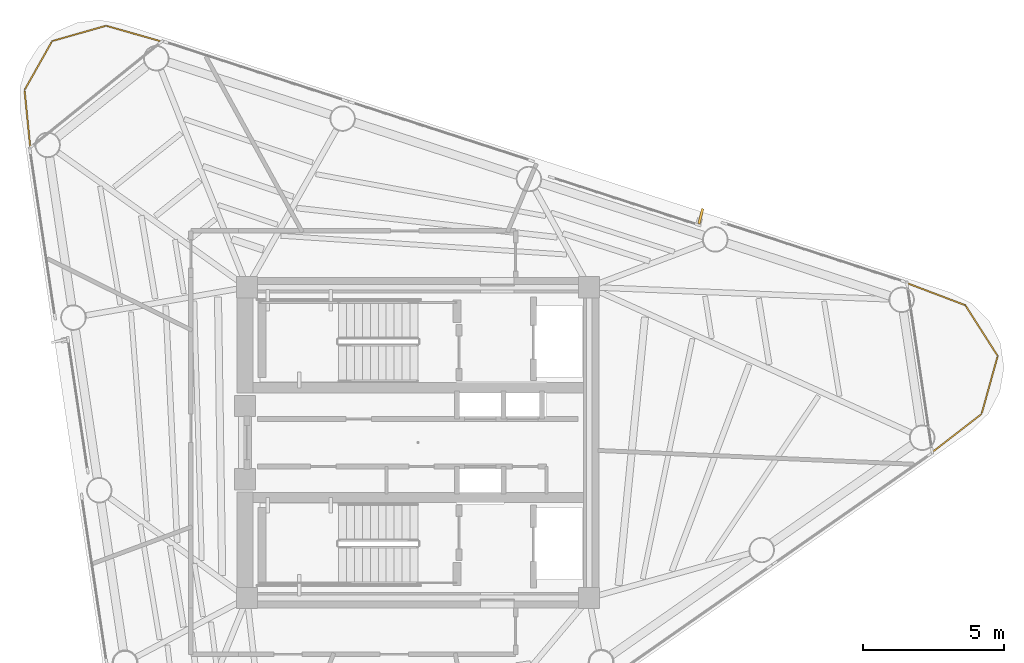
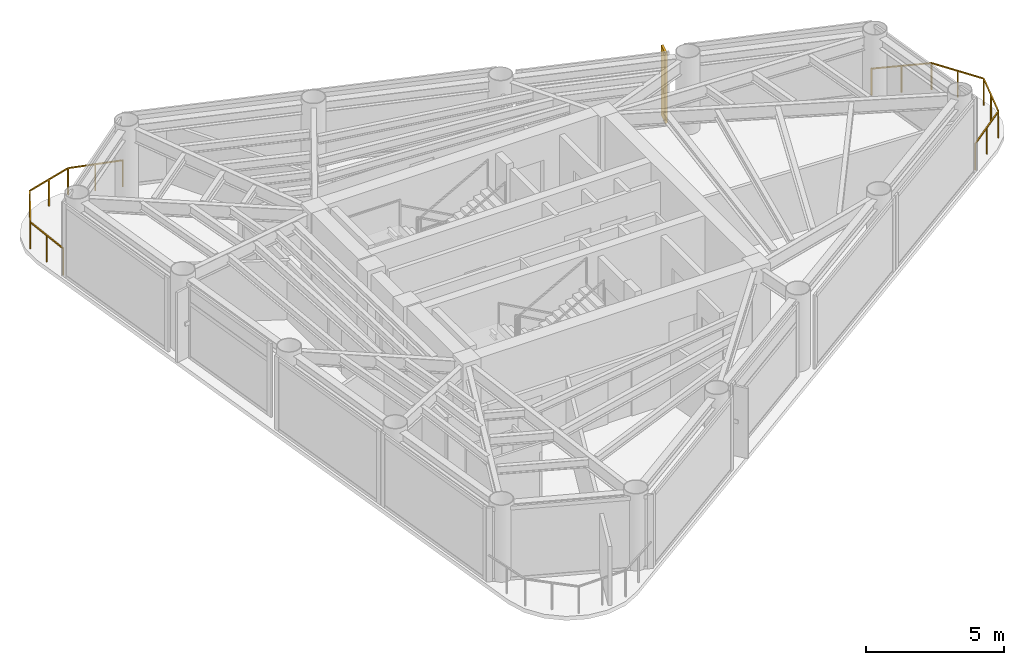
# One storey, part 9 of 9: 2 railings, 1 shading device.
"""IFC4 building model written with IfcOpenShell, lengths in metres."""

from ifc_helpers import new_model, si_unit, direction, frame, origin, origin_2d, place, context, subcontext, project, spatial, rectangle, extrude, source, transform, mapped, material, material_profile, profile_set, type_object, element, save


model = new_model("IFC4")

# Units and contexts
model_context = context("Model", 3, precision=1e-05, world=origin(), true_north=direction((0.0, 1.0)))
body_context = subcontext(model_context, "Body", "Model", "MODEL_VIEW")
ifc_project = project(units=[si_unit("LENGTHUNIT", "METRE"), si_unit("AREAUNIT", "SQUARE_METRE"), si_unit("VOLUMEUNIT", "CUBIC_METRE"), si_unit("PLANEANGLEUNIT", "RADIAN"), si_unit("MASSUNIT", "GRAM", prefix="KILO")], contexts=[model_context])

# Site, building, storey
site_placement = place(None, origin())
site = spatial("IfcSite", under=ifc_project, at=site_placement, CompositionType="ELEMENT")
building_placement = place(site_placement, origin())
building = spatial("IfcBuilding", under=site, at=building_placement, Name="Yunling Apex Tower", CompositionType="ELEMENT")
storey_placement = place(building_placement, frame((0.0, 0.0, 274.550048828125)))
storey = spatial("IfcBuildingStorey", under=building, at=storey_placement, Name="L67", CompositionType="ELEMENT", Elevation=274.550048828125)

# Railings
ifc_material = material(Name="Bronze anodised aluminium", Category="aluminium")
railing_type = type_object("IfcRailingType", Name="RL-BAL-1200", PredefinedType="BALUSTRADE", material=ifc_material)
railing_1_placement = place(storey_placement, frame((17.301513671875, 5.64208984375, 0.0)))
element("IfcRailing", 1, at=railing_1_placement, inside=storey, type_object=railing_type, Name="RL-CRNSILL-L67-1", PredefinedType="BALUSTRADE", context=body_context, shape_type="SweptSolid", body=[
    extrude(rectangle(XDim=0.0439453125, YDim=0.0439453125, at=origin_2d()), origin(), (0.0, 0.0, 1.0), 1.199951171875),
    extrude(rectangle(XDim=0.0439453125, YDim=0.0439453125, at=origin_2d()), frame((2.06103515625, -0.78125, 0.0)), (0.0, 0.0, 1.0), 1.199951171875),
    extrude(rectangle(XDim=0.050048828125, YDim=0.050048828125, at=origin_2d()), frame((0.035888671875, -0.013671875, 1.1748046875), z_axis=(0.935076028929, -0.354447203574, 0.0), x_axis=(0.354447203574, 0.935076028929, 0.0)), (0.0, 0.0, 1.0), 2.12744140625),
    extrude(rectangle(XDim=0.0439453125, YDim=0.0439453125, at=origin_2d()), frame((1.030517578125, -0.390625, 0.0)), (0.0, 0.0, 1.0), 1.14599609375),
    extrude(rectangle(XDim=0.0439453125, YDim=0.0439453125, at=origin_2d()), frame((3.207275390625, -2.576904296875, 0.0)), (0.0, 0.0, 1.0), 1.199951171875),
    extrude(rectangle(XDim=0.050048828125, YDim=0.050048828125, at=origin_2d()), frame((2.08154296875, -0.8134765625, 1.1748046875), z_axis=(0.538061440176, -0.842905621405, 0.0), x_axis=(0.842905621405, 0.538061440176, 0.0)), (0.0, 0.0, 1.0), 2.0537109375),
    extrude(rectangle(XDim=0.0439453125, YDim=0.0439453125, at=origin_2d()), frame((2.63427734375, -1.67919921875, 0.0)), (0.0, 0.0, 1.0), 1.14599609375),
    extrude(rectangle(XDim=0.0439453125, YDim=0.0439453125, at=origin_2d()), frame((2.63623046875, -4.62939453125, 0.0)), (0.0, 0.0, 1.0), 1.199951171875),
    extrude(rectangle(XDim=0.050048828125, YDim=0.050048828125, at=origin_2d()), frame((3.197021484375, -2.61376953125, 1.1748046875), z_axis=(-0.268039837369, -0.963407829314, 0.0), x_axis=(0.963407829314, -0.268039837369, 0.0)), (0.0, 0.0, 1.0), 2.0537109375),
    extrude(rectangle(XDim=0.0439453125, YDim=0.0439453125, at=origin_2d()), frame((2.921875, -3.60302734375, 0.0)), (0.0, 0.0, 1.0), 1.14599609375),
    extrude(rectangle(XDim=0.0439453125, YDim=0.0439453125, at=origin_2d()), frame((0.8935546875, -5.979248046875, 0.0)), (0.0, 0.0, 1.0), 1.199951171875),
    extrude(rectangle(XDim=0.050048828125, YDim=0.050048828125, at=origin_2d()), frame((2.60595703125, -4.65283203125, 1.1748046875), z_axis=(-0.790573223341, -0.612367519172, 0.0), x_axis=(0.612367519172, -0.790573223341, 0.0)), (0.0, 0.0, 1.0), 2.127685546875),
    extrude(rectangle(XDim=0.0439453125, YDim=0.0439453125, at=origin_2d()), frame((1.764892578125, -5.30419921875, 0.0)), (0.0, 0.0, 1.0), 1.14599609375),
])
railing_2_placement = place(storey_placement, frame((-13.722900390625, 10.44091796875, 0.0)))
element("IfcRailing", 2, at=railing_2_placement, inside=storey, type_object=railing_type, Name="RL-CRNSILL-L67-2", PredefinedType="BALUSTRADE", context=body_context, shape_type="SweptSolid", body=[
    extrude(rectangle(XDim=0.0439453125, YDim=0.0439453125, at=origin_2d()), origin(), (0.0, 0.0, 1.0), 1.199951171875),
    extrude(rectangle(XDim=0.0439453125, YDim=0.0439453125, at=origin_2d()), frame((-0.20361328125, 2.0341796875, 0.0)), (0.0, 0.0, 1.0), 1.199951171875),
    extrude(rectangle(XDim=0.050048828125, YDim=0.050048828125, at=origin_2d()), frame((-0.00390625, 0.0380859375, 1.1748046875), z_axis=(-0.099598310599, 0.995027726511, 0.0), x_axis=(-0.995027726511, -0.099598310599, 0.0)), (0.0, 0.0, 1.0), 1.9677734375),
    extrude(rectangle(XDim=0.0439453125, YDim=0.0439453125, at=origin_2d()), frame((-0.101806640625, 1.01708984375, 0.0)), (0.0, 0.0, 1.0), 1.14599609375),
    extrude(rectangle(XDim=0.0439453125, YDim=0.0439453125, at=origin_2d()), frame((0.774169921875, 3.7666015625, 0.0)), (0.0, 0.0, 1.0), 1.199951171875),
    extrude(rectangle(XDim=0.050048828125, YDim=0.050048828125, at=origin_2d()), frame((-0.184814453125, 2.067626953125, 1.1748046875), z_axis=(0.491519311586, 0.870866675409, 0.0), x_axis=(-0.870866675409, 0.491519311586, 0.0)), (0.0, 0.0, 1.0), 1.91259765625),
    extrude(rectangle(XDim=0.0439453125, YDim=0.0439453125, at=origin_2d()), frame((0.28515625, 2.900390625, 0.0)), (0.0, 0.0, 1.0), 1.14599609375),
    extrude(rectangle(XDim=0.0439453125, YDim=0.0439453125, at=origin_2d()), frame((2.68115234375, 4.3095703125, 0.0)), (0.0, 0.0, 1.0), 1.199951171875),
    extrude(rectangle(XDim=0.050048828125, YDim=0.050048828125, at=origin_2d()), frame((0.81103515625, 3.777099609375, 1.1748046875), z_axis=(0.961774454599, 0.273842835364, 0.0), x_axis=(-0.273842835364, 0.961774454599, 0.0)), (0.0, 0.0, 1.0), 1.906005859375),
    extrude(rectangle(XDim=0.0439453125, YDim=0.0439453125, at=origin_2d()), frame((1.7275390625, 4.0380859375, 0.0)), (0.0, 0.0, 1.0), 1.14599609375),
    extrude(rectangle(XDim=0.0439453125, YDim=0.0439453125, at=origin_2d()), frame((4.6484375, 3.7509765625, 0.0)), (0.0, 0.0, 1.0), 1.199951171875),
    extrude(rectangle(XDim=0.050048828125, YDim=0.050048828125, at=origin_2d()), frame((2.718017578125, 4.299072265625, 1.1748046875), z_axis=(0.961973149689, -0.273144026618, 0.0), x_axis=(0.273144026618, 0.961973149689, 0.0)), (0.0, 0.0, 1.0), 1.968505859375),
    extrude(rectangle(XDim=0.0439453125, YDim=0.0439453125, at=origin_2d()), frame((3.664794921875, 4.0302734375, 0.0)), (0.0, 0.0, 1.0), 1.14599609375),
])

# Shading device
ifc_material_profile = material_profile(ifc_material, rectangle(XDim=0.0849609375, YDim=0.550048828125, at=origin_2d()))
ifc_profile_set = profile_set([ifc_material_profile], Name="Bronze anodised aluminium")
shading_device_type = type_object("IfcShadingDeviceType", Name="FN-BRZ-3", PredefinedType="USERDEFINED", material=ifc_profile_set)
shared_shape = source(origin(), body_context, "Body", "SweptSolid", [
    extrude(rectangle(XDim=0.0849609375, YDim=0.550048828125, at=origin_2d()), origin(), (0.0, 0.0, 1.0), 3.10009765625),
])
shading_device_placement = place(storey_placement, frame((10.0048828125, 8.012451171875, 0.059814453125), z_axis=(0.0, 0.0, 1.0), x_axis=(-0.969402520914, 0.245476582274, 0.0)))
element("IfcShadingDevice", 3, at=shading_device_placement, inside=storey, type_object=shading_device_type, Name="CW-L67-F2-B2-FIN-01", ObjectType="FIN", PredefinedType="USERDEFINED", context=body_context, shape_type="MappedRepresentation", body=[
    mapped(shared_shape, transform((0.0, 0.0, 0.0), scale=1.0)),
])

save(model, "model.ifc")
